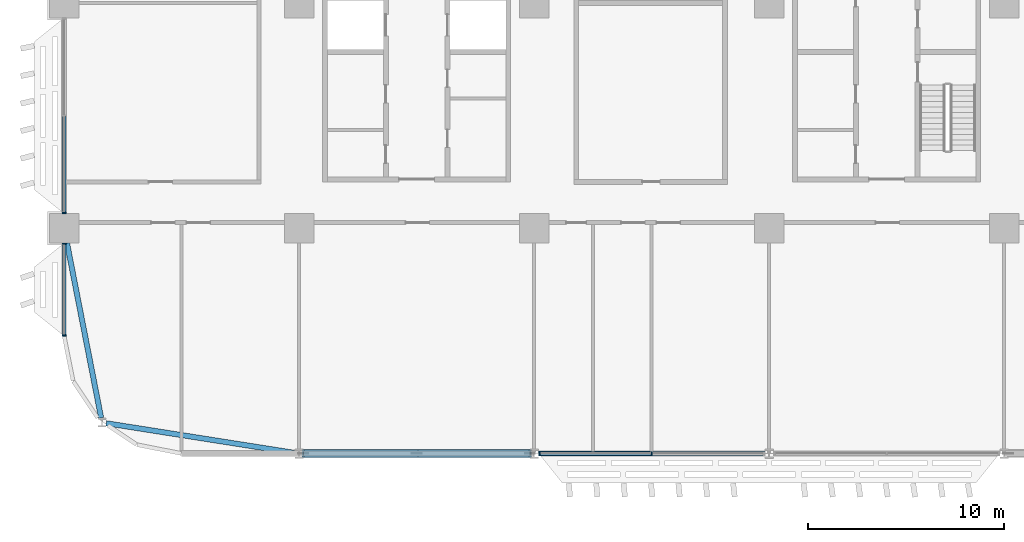
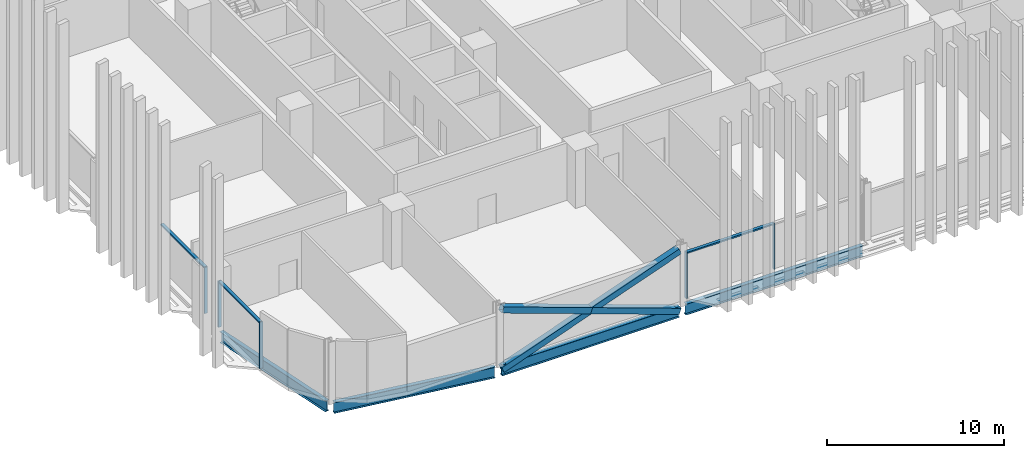
# One storey, part 3 of 29: 11 members, 4 beams, 3 elements without a shape of their own.
"""IFC4 building model written with IfcOpenShell, lengths in metres."""

from ifc_helpers import new_model, si_unit, direction, frame, origin, origin_2d, place, context, subcontext, project, spatial, rectangle, hollow_rectangle, i_section, extrude, material, material_profile, profile_set, type_object, element, aggregate, save


model = new_model("IFC4")

# Units and contexts
model_context = context("Model", 3, precision=1e-05, world=origin(), true_north=direction((0.0, 1.0)))
body_context = subcontext(model_context, "Body", "Model", "MODEL_VIEW")
ifc_project = project(units=[si_unit("LENGTHUNIT", "METRE"), si_unit("AREAUNIT", "SQUARE_METRE"), si_unit("VOLUMEUNIT", "CUBIC_METRE"), si_unit("PLANEANGLEUNIT", "RADIAN"), si_unit("MASSUNIT", "GRAM", prefix="KILO")], contexts=[model_context])

# Site, building, storey
site_placement = place(None, origin())
site = spatial("IfcSite", under=ifc_project, at=site_placement, CompositionType="ELEMENT")
building_placement = place(site_placement, origin())
building = spatial("IfcBuilding", under=site, at=building_placement, Name="Mahtab Terrace Research Tower", CompositionType="ELEMENT")
storey_placement = place(building_placement, frame((0.0, 0.0, 63.199951171875)))
storey = spatial("IfcBuildingStorey", under=building, at=storey_placement, Name="L14", CompositionType="ELEMENT", Elevation=63.199951171875)

# Members
ifc_material_1 = material(Name="Steel ASTM A500 Gr C", Category="steel")
ifc_material_profile_1 = material_profile(ifc_material_1, hollow_rectangle(XDim=0.406494140625, YDim=0.406494140625, WallThickness=0.01904296875, at=origin_2d()), Name="HSS16X16X3/4")
ifc_profile_set_1 = profile_set([ifc_material_profile_1], Name="Steel ASTM A500 Gr C")
member_type_1 = type_object("IfcMemberType", Name="HSS 16x16x3/4 brace XB161634", PredefinedType="BRACE", material=ifc_profile_set_1)
member_1_placement = place(storey_placement, frame((-29.787841796875, -23.0, -0.642333984375), z_axis=(0.941386519928, 0.0, 0.337329838731), x_axis=(0.0, 1.0, 0.0)))
element("IfcMember", 1, at=member_1_placement, inside=storey, type_object=member_type_1, Name="Exoskeleton brace L14 14 a", PredefinedType="BRACE", context=body_context, shape_type="SweptSolid", body=[
    extrude(hollow_rectangle(XDim=0.406494140625, YDim=0.406494140625, WallThickness=0.01904296875, at=origin_2d()), origin(), (0.0, 0.0, 1.0), 12.29638671875),
])
for number, where, z_axis, x_axis, name in (
    (2, (-18.212158203125, -23.0, -0.642333984375), (-0.941386519928, 0.0, 0.337329838731), (0.0, -1.0, 0.0), "Exoskeleton brace L14 14 b1"),
    (3, (-24.0, -23.0, 1.431640625), (-0.941386519928, 0.0, 0.337329838731), (0.0, -1.0, 0.0), "Exoskeleton brace L14 14 b2"),
):
    element("IfcMember", number, at=place(storey_placement, frame(where, z_axis=z_axis, x_axis=x_axis)), inside=storey, type_object=member_type_1, Name=name, PredefinedType="BRACE", context=body_context, shape_type="SweptSolid", body=[
        extrude(hollow_rectangle(XDim=0.406494140625, YDim=0.406494140625, WallThickness=0.01904296875, at=origin_2d()), origin(), (0.0, 0.0, 1.0), 6.148193359375),
    ])

# Curtain wall, member
ifc_material_2 = material(Name="Laboratory ribbon curtain wall")
curtain_wall_type = type_object("IfcCurtainWallType", Name="Laboratory ribbon curtain wall", PredefinedType="NOTDEFINED", material=ifc_material_2)
curtain_wall_1_placement = place(storey_placement, origin())
curtain_wall_1 = element("IfcCurtainWall", 4, at=curtain_wall_1_placement, inside=storey, type_object=curtain_wall_type, Name="EN.L14.8.17", PredefinedType="NOTDEFINED")
ifc_material_3 = material(Name="Natural anodised aluminium", Category="aluminium")
ifc_material_profile_2 = material_profile(ifc_material_3, rectangle(XDim=0.199951171875, YDim=0.06494140625, at=origin_2d()), Name="MULLION 65x200")
ifc_profile_set_2 = profile_set([ifc_material_profile_2], Name="Natural anodised aluminium")
member_type_2 = type_object("IfcMemberType", Name="Laboratory ribbon curtain wall mullion", PredefinedType="MULLION", material=ifc_profile_set_2)
member_2_placement = place(storey_placement, frame((-42.0, -10.717529296875, 0.0), z_axis=(0.0, 0.0, 1.0), x_axis=(1.0, 0.0, 0.0)))
member_2 = element("IfcMember", 5, at=member_2_placement, type_object=member_type_2, Name="CWL-2 mullion 3", PredefinedType="MULLION", context=body_context, shape_type="SweptSolid", body=[
    extrude(rectangle(XDim=0.199951171875, YDim=0.06494140625, at=origin_2d()), origin(), (0.0, 0.0, 1.0), 3.203125),
])

# Curtain wall, members
curtain_wall_2_placement = place(storey_placement, origin())
curtain_wall_2 = element("IfcCurtainWall", 6, at=curtain_wall_2_placement, inside=storey, type_object=curtain_wall_type, Name="EN.L14.8.18", PredefinedType="NOTDEFINED")
member_3_placement = place(storey_placement, frame((-42.0, -12.282470703125, 0.0), z_axis=(0.0, 0.0, 1.0), x_axis=(1.0, 0.0, 0.0)))
member_3 = element("IfcMember", 7, at=member_3_placement, type_object=member_type_2, Name="CWL-2 mullion 1", PredefinedType="MULLION", context=body_context, shape_type="SweptSolid", body=[
    extrude(rectangle(XDim=0.199951171875, YDim=0.06494140625, at=origin_2d()), origin(), (0.0, 0.0, 1.0), 3.203125),
])
member_4_placement = place(storey_placement, frame((-42.0, -16.967529296875, 0.0), z_axis=(0.0, 0.0, 1.0), x_axis=(1.0, 0.0, 0.0)))
member_4 = element("IfcMember", 8, at=member_4_placement, type_object=member_type_2, Name="CWL-2 mullion 2", PredefinedType="MULLION", context=body_context, shape_type="SweptSolid", body=[
    extrude(rectangle(XDim=0.199951171875, YDim=0.06494140625, at=origin_2d()), origin(), (0.0, 0.0, 1.0), 3.203125),
])

curtain_wall_3_placement = place(storey_placement, origin())
curtain_wall_3 = element("IfcCurtainWall", 9, at=curtain_wall_3_placement, inside=storey, type_object=curtain_wall_type, Name="EN.L14.13.25", PredefinedType="NOTDEFINED")
member_5_placement = place(storey_placement, frame((-17.7294921875, -23.0, 0.0), z_axis=(0.0, 0.0, 1.0), x_axis=(0.0, 1.0, 0.0)))
member_5 = element("IfcMember", 10, at=member_5_placement, type_object=member_type_2, Name="CWL-2 mullion 1", PredefinedType="MULLION", context=body_context, shape_type="SweptSolid", body=[
    extrude(rectangle(XDim=0.199951171875, YDim=0.06494140625, at=origin_2d()), origin(), (0.0, 0.0, 1.0), 3.203125),
])
member_6_placement = place(storey_placement, frame((-12.0, -23.0, 0.0), z_axis=(0.0, 0.0, 1.0), x_axis=(0.0, 1.0, 0.0)))
member_6 = element("IfcMember", 11, at=member_6_placement, type_object=member_type_2, Name="CWL-2 mullion 2", PredefinedType="MULLION", context=body_context, shape_type="SweptSolid", body=[
    extrude(rectangle(XDim=0.199951171875, YDim=0.06494140625, at=origin_2d()), origin(), (0.0, 0.0, 1.0), 3.203125),
])

# Member
ifc_material_profile_3 = material_profile(ifc_material_3, rectangle(XDim=0.199951171875, YDim=0.10009765625, at=origin_2d()), Name="TRANSOM 100x200")
ifc_profile_set_3 = profile_set([ifc_material_profile_3], Name="Natural anodised aluminium")
member_type_3 = type_object("IfcMemberType", Name="Laboratory ribbon curtain wall transom", PredefinedType="USERDEFINED", material=ifc_profile_set_3)
member_7_placement = place(storey_placement, frame((-42.0, -5.782470703125, 3.153076171875), z_axis=(0.0, -1.0, 0.0), x_axis=(1.0, 0.0, 0.0)))
member_7 = element("IfcMember", 12, at=member_7_placement, type_object=member_type_3, Name="CWL-2 transom 2", ObjectType="TRANSOM", PredefinedType="USERDEFINED", context=body_context, shape_type="SweptSolid", body=[
    extrude(rectangle(XDim=0.199951171875, YDim=0.10009765625, at=origin_2d()), origin(), (0.0, 0.0, 1.0), 4.902587890625),
])

aggregate(curtain_wall_1, [member_2, member_7])

member_8_placement = place(storey_placement, frame((-42.0, -12.31494140625, 3.153076171875), z_axis=(0.0, -1.0, 0.0), x_axis=(1.0, 0.0, 0.0)))
member_8 = element("IfcMember", 13, at=member_8_placement, type_object=member_type_3, Name="CWL-2 transom 1", ObjectType="TRANSOM", PredefinedType="USERDEFINED", context=body_context, shape_type="SweptSolid", body=[
    extrude(rectangle(XDim=0.199951171875, YDim=0.10009765625, at=origin_2d()), origin(), (0.0, 0.0, 1.0), 4.6201171875),
])

aggregate(curtain_wall_2, [member_3, member_4, member_8])

member_9_placement = place(storey_placement, frame((-17.697021484375, -23.0, 3.153076171875), z_axis=(1.0, 0.0, 0.0), x_axis=(0.0, 1.0, 0.0)))
member_9 = element("IfcMember", 14, at=member_9_placement, type_object=member_type_3, Name="CWL-2 transom 1", ObjectType="TRANSOM", PredefinedType="USERDEFINED", context=body_context, shape_type="SweptSolid", body=[
    extrude(rectangle(XDim=0.199951171875, YDim=0.10009765625, at=origin_2d()), origin(), (0.0, 0.0, 1.0), 5.66455078125),
])

aggregate(curtain_wall_3, [member_5, member_6, member_9])

# Beams
ifc_material_4 = material(Name="Steel ASTM A992 Gr 50", Category="steel")
ifc_material_profile_4 = material_profile(ifc_material_4, i_section(OverallWidth=0.2666015625, OverallDepth=0.7568359375, WebThickness=0.013916015625, FlangeThickness=0.019287109375, at=origin_2d()), Name="W30X108")
ifc_profile_set_4 = profile_set([ifc_material_profile_4], Name="Steel ASTM A992 Gr 50")
beam_type = type_object("IfcBeamType", Name="W30x108 beam BS30108", PredefinedType="BEAM", material=ifc_profile_set_4)
beam_1_placement = place(storey_placement, frame((-41.853515625, -12.25, -0.718505859375), z_axis=(0.191825617976, -0.981429025599, 0.0), x_axis=(0.981429025599, 0.191825617976, 0.0)))
element("IfcBeam", 15, at=beam_1_placement, inside=storey, type_object=beam_type, Name="Spandrel beam L14 12", PredefinedType="BEAM", context=body_context, shape_type="SweptSolid", body=[
    extrude(i_section(OverallWidth=0.2666015625, OverallDepth=0.7568359375, WebThickness=0.013916015625, FlangeThickness=0.019287109375, at=origin_2d()), origin(), (0.0, 0.0, 1.0), 9.097412109375),
])
beam_2_placement = place(storey_placement, frame((-39.849853515625, -21.449462890625, -0.718505859375), z_axis=(0.987836303792, -0.155497385545, 0.0), x_axis=(0.155497385545, 0.987836303792, 0.0)))
element("IfcBeam", 16, at=beam_2_placement, inside=storey, type_object=beam_type, Name="Spandrel beam L14 13", PredefinedType="BEAM", context=body_context, shape_type="SweptSolid", body=[
    extrude(i_section(OverallWidth=0.2666015625, OverallDepth=0.7568359375, WebThickness=0.013916015625, FlangeThickness=0.019287109375, at=origin_2d()), origin(), (0.0, 0.0, 1.0), 9.75634765625),
])
for number, where, z_axis, x_axis, name in (
    (17, (-29.787841796875, -23.0, -0.718505859375), (1.0, 0.0, 0.0), (0.0, 1.0, 0.0), "Spandrel beam L14 14"),
    (18, (-17.787841796875, -23.0, -0.718505859375), (1.0, 0.0, 0.0), (0.0, 1.0, 0.0), "Spandrel beam L14 15"),
):
    element("IfcBeam", number, at=place(storey_placement, frame(where, z_axis=z_axis, x_axis=x_axis)), inside=storey, type_object=beam_type, Name=name, PredefinedType="BEAM", context=body_context, shape_type="SweptSolid", body=[
        extrude(i_section(OverallWidth=0.2666015625, OverallDepth=0.7568359375, WebThickness=0.013916015625, FlangeThickness=0.019287109375, at=origin_2d()), origin(), (0.0, 0.0, 1.0), 11.57568359375),
    ])

save(model, "model.ifc")
